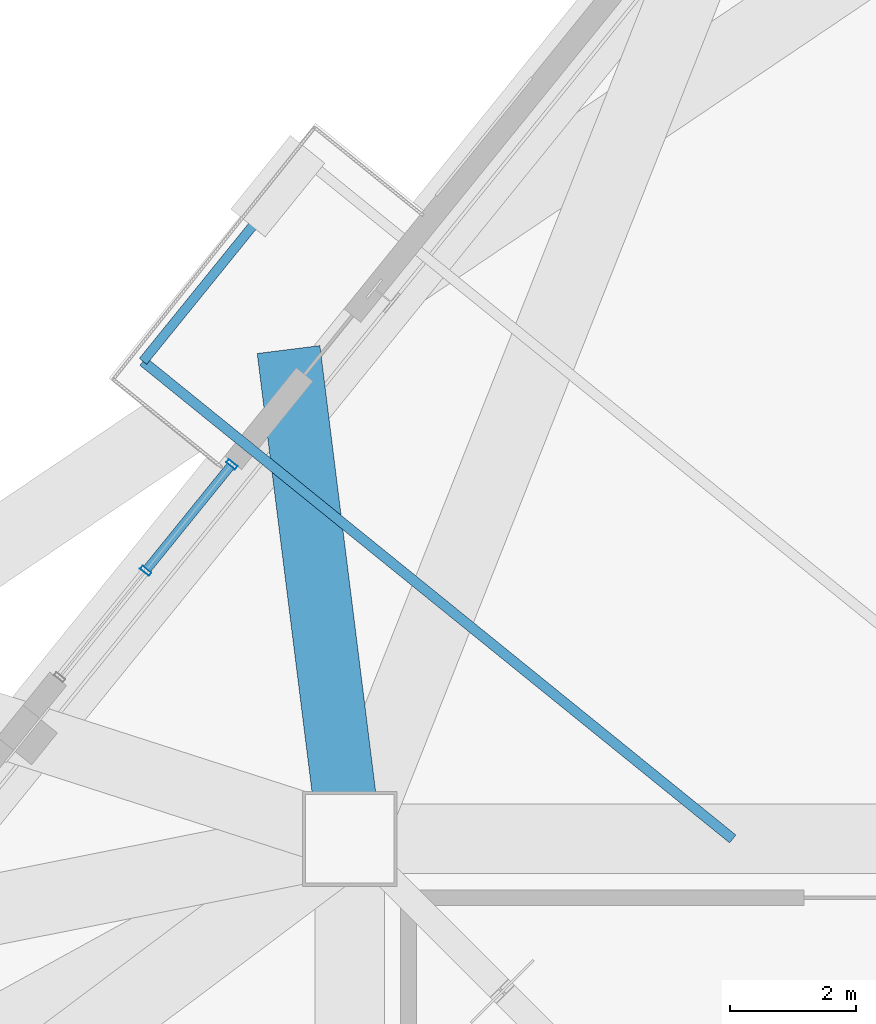
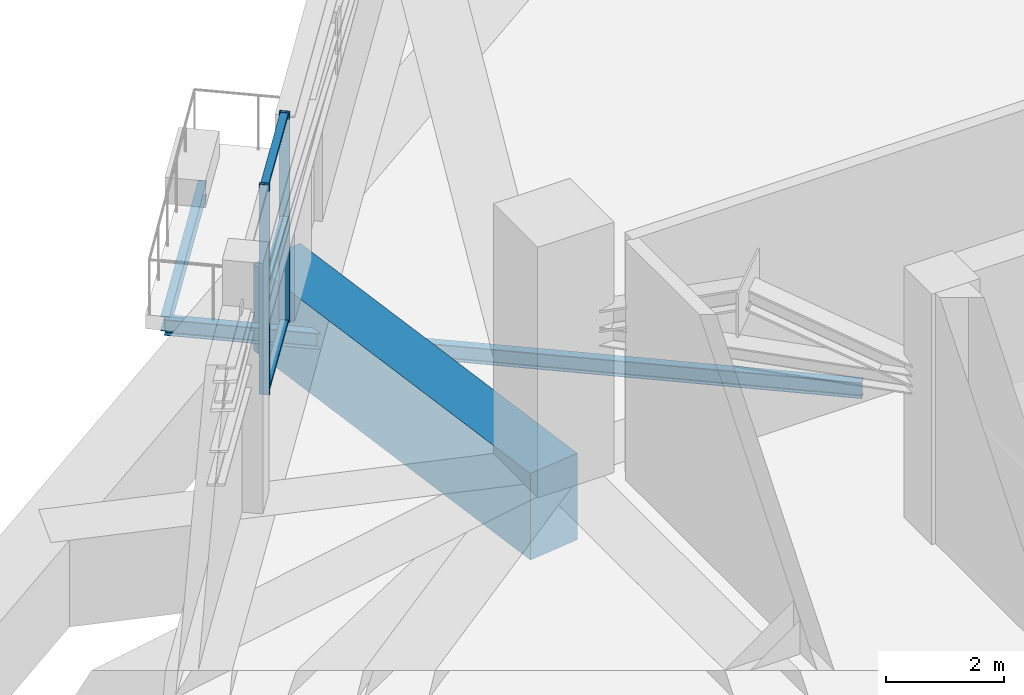
# One storey, part 9 of 22: 5 members, 3 beams, 1 element without a shape of its own.
"""IFC4 building model written with IfcOpenShell, lengths in metres."""

import ifcopenshell
import ifcopenshell.guid

model = None  # the IFC model being written
_history = None  # IfcOwnerHistory: only IFC2X3 demands one
_inside = {}  # id of a spatial element -> (the spatial element, [elements in it])
_under = {}  # id of a project, library or spatial element -> (it, [spatial elements below it])
_declared = {}  # id of a project -> (the project, [libraries it declares])
_typed = {}  # id of a type object -> (the type object, [elements of that type])
_made_of = {}  # id of a material, layer set ... -> (it, [elements and type objects made of it])


def new_model(schema):
    """Start an empty IFC model of exactly this schema.

    Asked for "IFC4X3", IfcOpenShell would pick the latest addendum, in which some entities
    have other attributes; the version numbers below select the first issue.
    IFC2X3 requires an IfcOwnerHistory on every rooted entity: one is made here for all.
    """
    global model, _history
    if schema == "IFC4X3":
        model = ifcopenshell.file(schema_version=(4, 3, 0, 0))
    else:
        model = ifcopenshell.file(schema=schema)
    _inside.clear()
    _under.clear()
    _declared.clear()
    _typed.clear()
    _made_of.clear()
    _history = None
    if model.schema == "IFC2X3":
        org = make("IfcOrganization", Name="unknown")
        user = make(
            "IfcPersonAndOrganization",
            ThePerson=make("IfcPerson", FamilyName="unknown"),
            TheOrganization=org,
        )
        app = make(
            "IfcApplication",
            ApplicationDeveloper=org,
            Version="unknown",
            ApplicationFullName="unknown",
            ApplicationIdentifier="unknown",
        )
        _history = make(
            "IfcOwnerHistory",
            OwningUser=user,
            OwningApplication=app,
            ChangeAction="ADDED",
            CreationDate=0,
        )
    return model


def make(cls, **values):
    """One entity of the class cls with the attributes given. An attribute that is None is left unset."""
    return model.create_entity(
        cls, **{name: value for name, value in values.items() if value is not None}
    )


def rooted(cls, **values):
    """An entity with a GlobalId (a new one), such as an element, a storey or a relation."""
    return make(cls, GlobalId=ifcopenshell.guid.new(), OwnerHistory=_history, **values)


def si_unit(unit_type, name, prefix=None):
    """IfcSIUnit, for example si_unit("LENGTHUNIT", "METRE", prefix="MILLI")."""
    return make("IfcSIUnit", UnitType=unit_type, Prefix=prefix, Name=name)


def assignment(units):
    """IfcUnitAssignment: the units of a project."""
    return None if units is None else make("IfcUnitAssignment", Units=units)


def point(xyz):
    """IfcCartesianPoint."""
    return None if xyz is None else make("IfcCartesianPoint", Coordinates=xyz)


def direction(xyz):
    """IfcDirection."""
    return None if xyz is None else make("IfcDirection", DirectionRatios=xyz)


def frame(location, z_axis=None, x_axis=None):
    """IfcAxis2Placement3D, a coordinate frame: its origin and axes. An axis left out is left unset."""
    return make(
        "IfcAxis2Placement3D",
        Location=point(location),
        Axis=direction(z_axis),
        RefDirection=direction(x_axis),
    )


def frame_2d(location, x_axis=None):
    """IfcAxis2Placement2D, a coordinate frame in the plane: its origin and x axis."""
    return make(
        "IfcAxis2Placement2D", Location=point(location), RefDirection=direction(x_axis)
    )


def origin():
    """The frame at (0, 0, 0) with its axes left unset."""
    return frame((0.0, 0.0, 0.0))


def origin_2d():
    """The frame at (0, 0) in the plane with its x axis left unset."""
    return frame_2d((0.0, 0.0))


def place(relative_to, where):
    """IfcLocalPlacement: puts the frame where relative to a parent placement (None: the world)."""
    return make(
        "IfcLocalPlacement", PlacementRelTo=relative_to, RelativePlacement=where
    )


def context(
    kind, dimensions, precision=None, world=None, true_north=None, identifier=None
):
    """IfcGeometricRepresentationContext, for example the 3D "Model" context."""
    return make(
        "IfcGeometricRepresentationContext",
        ContextIdentifier=identifier,
        ContextType=kind,
        CoordinateSpaceDimension=dimensions,
        Precision=precision,
        WorldCoordinateSystem=world,
        TrueNorth=true_north,
    )


def subcontext(parent, identifier, kind, view, scale=None):
    """IfcGeometricRepresentationSubContext, for example "Body" below "Model"."""
    return make(
        "IfcGeometricRepresentationSubContext",
        ContextIdentifier=identifier,
        ContextType=kind,
        ParentContext=parent,
        TargetScale=scale,
        TargetView=view,
    )


def project(units=None, contexts=None):
    """IfcProject with its units and contexts."""
    return rooted(
        "IfcProject",
        Name="project",
        RepresentationContexts=contexts,
        UnitsInContext=assignment(units),
    )


def spatial(cls, under=None, at=None, **own):
    """A site, building, storey or space (cls), placed at a placement, below another one or the project."""
    s = rooted(cls, ObjectPlacement=at, **own)
    if under is not None:
        _under.setdefault(under.id(), (under, []))[1].append(s)
    return s


def profile(cls, at=None, kind="AREA", **sizes):
    """A parametric profile (cls). Its sizes go by their IFC names, for example OverallWidth=200.0."""
    return make(cls, ProfileType=kind, Position=at, **sizes)


def rectangle(**sizes):
    """IfcRectangleProfileDef."""
    return profile("IfcRectangleProfileDef", **sizes)


def hollow_rectangle(**sizes):
    """IfcRectangleHollowProfileDef."""
    return profile("IfcRectangleHollowProfileDef", **sizes)


def i_section(**sizes):
    """IfcIShapeProfileDef."""
    return profile("IfcIShapeProfileDef", **sizes)


def extrude(swept, where, along, depth):
    """IfcExtrudedAreaSolid: the profile swept, set in the frame where, extruded along a direction by depth."""
    return make(
        "IfcExtrudedAreaSolid",
        SweptArea=swept,
        Position=where,
        ExtrudedDirection=direction(along),
        Depth=depth,
    )


def shape(context_of_items, identifier, shape_type, items):
    """IfcShapeRepresentation: the items that make up one representation, for example the "Body"."""
    return make(
        "IfcShapeRepresentation",
        ContextOfItems=context_of_items,
        RepresentationIdentifier=identifier,
        RepresentationType=shape_type,
        Items=items,
    )


def source(mapping_origin, context_of_items, identifier, shape_type, items):
    """IfcRepresentationMap: a shape defined once, which mapped items show again and again."""
    return make(
        "IfcRepresentationMap",
        MappingOrigin=mapping_origin,
        MappedRepresentation=shape(context_of_items, identifier, shape_type, items),
    )


def transform(
    local_origin,
    x_axis=None,
    y_axis=None,
    z_axis=None,
    scale=None,
    scale2=None,
    scale3=None,
    uniform=True,
):
    """IfcCartesianTransformationOperator3D, or its non-uniform kind. x_axis, y_axis, z_axis: its Axis1, 2, 3."""
    if uniform:
        return make(
            "IfcCartesianTransformationOperator3D",
            Axis1=direction(x_axis),
            Axis2=direction(y_axis),
            LocalOrigin=point(local_origin),
            Scale=scale,
            Axis3=direction(z_axis),
        )
    return make(
        "IfcCartesianTransformationOperator3DnonUniform",
        Axis1=direction(x_axis),
        Axis2=direction(y_axis),
        LocalOrigin=point(local_origin),
        Scale=scale,
        Axis3=direction(z_axis),
        Scale2=scale2,
        Scale3=scale3,
    )


def mapped(mapping_source, mapping_target):
    """IfcMappedItem: shows the shape of a source again, moved by a transform."""
    return make(
        "IfcMappedItem", MappingSource=mapping_source, MappingTarget=mapping_target
    )


def material(Name=None, Category=None):
    """IfcMaterial."""
    return make("IfcMaterial", Name=Name, Category=Category)


def layer(
    of_material, thickness, ventilated=None, Name=None, Category=None, Priority=None
):
    """IfcMaterialLayer: one layer of a wall or slab, of a material (None: an air gap)."""
    return make(
        "IfcMaterialLayer",
        Material=of_material,
        LayerThickness=thickness,
        IsVentilated=ventilated,
        Name=Name,
        Category=Category,
        Priority=Priority,
    )


def layer_set(layers, Name=None):
    """IfcMaterialLayerSet."""
    return make("IfcMaterialLayerSet", MaterialLayers=layers, LayerSetName=Name)


def material_profile(
    of_material, cross_section, Name=None, Category=None, Priority=None
):
    """IfcMaterialProfile: a cross section and its material."""
    return make(
        "IfcMaterialProfile",
        Name=Name,
        Material=of_material,
        Profile=cross_section,
        Priority=Priority,
        Category=Category,
    )


def profile_set(profiles, Name=None, composite=None):
    """IfcMaterialProfileSet."""
    return make(
        "IfcMaterialProfileSet",
        Name=Name,
        MaterialProfiles=profiles,
        CompositeProfile=composite,
    )


def made_of(thing, what):
    """Note that an element or type object is made of a material, layer set ...; save() writes the relation."""
    if what is not None:
        _made_of.setdefault(what.id(), (what, []))[1].append(thing)
    return thing


def type_object(cls, material=None, **own):
    """A type object (cls), such as IfcWallType, which elements share."""
    return made_of(rooted(cls, **own), material)


def element(
    cls,
    number,
    at=None,
    inside=None,
    cuts=None,
    type_object=None,
    material=None,
    context=None,
    identifier="Body",
    shape_type=None,
    held_by="IfcProductDefinitionShape",
    body=None,
    shapes=None,
    **own,
):
    """One element of the class cls, such as IfcWall. Its Tag is "e" and its number.

    at: its placement. inside: the storey or other place that contains it. cuts: it is an
    opening in that element (IfcRelVoidsElement). A single representation is given by context,
    identifier, shape_type and body (its items); several are given by shapes. held_by: the class
    of the entity that holds the representations. save() writes the other relations.
    """
    e = rooted(cls, Tag="e%d" % number, ObjectPlacement=at, **own)
    if body is not None:
        shapes = [shape(context, identifier, shape_type, body)]
    if shapes is not None:
        e.Representation = make(held_by, Representations=shapes)
    if inside is not None:
        _inside.setdefault(inside.id(), (inside, []))[1].append(e)
    if cuts is not None:
        rooted(
            "IfcRelVoidsElement", RelatingBuildingElement=cuts, RelatedOpeningElement=e
        )
    if type_object is not None:
        _typed.setdefault(type_object.id(), (type_object, []))[1].append(e)
    return made_of(e, material)


def aggregate(whole, parts):
    """IfcRelAggregates: a whole, such as a stair, and the parts it consists of."""
    return rooted("IfcRelAggregates", RelatingObject=whole, RelatedObjects=parts)


def save(model, path):
    """Write the relations noted so far, then the file.

    IfcRelAggregates (storeys below a building ...), IfcRelContainedInSpatialStructure (elements
    in a storey), IfcRelDefinesByType, IfcRelAssociatesMaterial and IfcRelDeclares: one each for
    every whole, place, type object, material and project.
    """
    for whole, parts in _under.values():
        aggregate(whole, parts)
    for where, things in _inside.values():
        rooted(
            "IfcRelContainedInSpatialStructure",
            RelatedElements=things,
            RelatingStructure=where,
        )
    for kind, things in _typed.values():
        rooted("IfcRelDefinesByType", RelatedObjects=things, RelatingType=kind)
    for what, things in _made_of.values():
        rooted("IfcRelAssociatesMaterial", RelatedObjects=things, RelatingMaterial=what)
    for by, libraries in _declared.values():
        rooted("IfcRelDeclares", RelatingContext=by, RelatedDefinitions=libraries)
    model.write(path)


model = new_model("IFC4")

# Units and contexts
model_context = context("Model", 3, precision=1e-05, world=origin(), true_north=direction((0.0, 1.0)))
body_context = subcontext(model_context, "Body", "Model", "MODEL_VIEW")
ifc_project = project(units=[si_unit("LENGTHUNIT", "METRE"), si_unit("AREAUNIT", "SQUARE_METRE"), si_unit("VOLUMEUNIT", "CUBIC_METRE"), si_unit("PLANEANGLEUNIT", "RADIAN"), si_unit("MASSUNIT", "GRAM", prefix="KILO"), si_unit("THERMODYNAMICTEMPERATUREUNIT", "KELVIN")], contexts=[model_context])

# Site, building, storey
site_placement = place(None, origin())
site = spatial("IfcSite", under=ifc_project, at=site_placement, CompositionType="ELEMENT")
building_placement = place(site_placement, origin())
building = spatial("IfcBuilding", under=site, at=building_placement, Name="Kosmvard Interchange Tower", CompositionType="ELEMENT")
storey_placement = place(building_placement, frame((0.0, 0.0, 200.39990234375)))
storey = spatial("IfcBuildingStorey", under=building, at=storey_placement, Name="L48", CompositionType="ELEMENT", Elevation=200.39990234375)

# Beams
ifc_material_1 = material(Name="Steel S355", Category="steel")
ifc_material_profile_1 = material_profile(ifc_material_1, i_section(OverallWidth=0.14990234375, OverallDepth=0.300048828125, WebThickness=0.007080078125, FlangeThickness=0.0107421875, FilletRadius=0.014892578125, at=origin_2d()), Name="IPE 300")
ifc_profile_set_1 = profile_set([ifc_material_profile_1], Name="Steel S355")
beam_type_1 = type_object("IfcBeamType", Name="Balcony Edge Header Joist IPE 300 S355", PredefinedType="JOIST", material=ifc_profile_set_1)
shared_shape_1 = source(origin(), body_context, "Body", "SweptSolid", [
    extrude(i_section(OverallWidth=0.14990234375, OverallDepth=0.300048828125, WebThickness=0.007080078125, FlangeThickness=0.0107421875, FilletRadius=0.014892578125, at=origin_2d()), origin(), (0.0, 0.0, 1.0), 4.099853515625),
])
beam_1_placement = place(storey_placement, frame((-13.77392578125, 23.828369140625, -0.5498046875), z_axis=(-0.629302717395, -0.777160272968, 0.0), x_axis=(0.777160272968, -0.629302717395, 0.0)))
element("IfcBeam", 1, at=beam_1_placement, inside=storey, type_object=beam_type_1, Name="BM-L48-BJH1", PredefinedType="JOIST", context=body_context, shape_type="MappedRepresentation", body=[
    mapped(shared_shape_1, transform((0.0, 0.0, 0.0), scale=1.0)),
])
ifc_material_2 = material(Name="Concrete C60/75", Category="concrete")
ifc_material_profile_2 = material_profile(ifc_material_2, rectangle(XDim=1.0, YDim=1.800048828125, at=origin_2d()), Name="TG 1000x1800")
ifc_profile_set_2 = profile_set([ifc_material_profile_2], Name="Concrete C60/75")
beam_type_2 = type_object("IfcBeamType", Name="Zone Transfer Ring Girder 1000x1800 C60/75", PredefinedType="USERDEFINED", material=ifc_profile_set_2)
shared_shape_2 = source(origin(), body_context, "Body", "SweptSolid", [
    extrude(rectangle(XDim=1.0, YDim=1.800048828125, at=origin_2d()), origin(), (0.0, 0.0, 1.0), 7.808837890625),
])
beam_2_placement = place(storey_placement, frame((-13.0810546875, 13.0810546875, -0.89990234375), z_axis=(-0.12405782224, 0.992274990485, 0.0), x_axis=(-0.992274990485, -0.12405782224, 0.0)))
element("IfcBeam", 2, at=beam_2_placement, inside=storey, type_object=beam_type_2, Name="BM-L48-LD08", ObjectType="TRANSFER_GIRDER", PredefinedType="USERDEFINED", context=body_context, shape_type="MappedRepresentation", body=[
    mapped(shared_shape_2, transform((0.0, 0.0, 0.0), scale=1.0)),
])
ifc_material_profile_3 = material_profile(ifc_material_1, i_section(OverallWidth=0.159912109375, OverallDepth=0.330078125, WebThickness=0.007568359375, FlangeThickness=0.011474609375, FilletRadius=0.01806640625, at=origin_2d()), Name="IPE 330")
ifc_profile_set_3 = profile_set([ifc_material_profile_3], Name="Steel S355")
beam_type_3 = type_object("IfcBeamType", Name="Balcony Cantilever Joist IPE 330 S355", PredefinedType="JOIST", material=ifc_profile_set_3)
shared_shape_3 = source(origin(), body_context, "Body", "SweptSolid", [
    extrude(i_section(OverallWidth=0.159912109375, OverallDepth=0.330078125, WebThickness=0.007568359375, FlangeThickness=0.011474609375, FilletRadius=0.01806640625, at=origin_2d()), origin(), (0.0, 0.0, 1.0), 12.0146484375),
])
beam_3_placement = place(storey_placement, frame((-7.016845703125, 13.0810546875, -0.56494140625), z_axis=(-0.777147853166, 0.629318054976, 0.0), x_axis=(-0.629318054976, -0.777147853166, 0.0)))
element("IfcBeam", 3, at=beam_3_placement, inside=storey, type_object=beam_type_3, Name="BM-L48-BJB1", PredefinedType="JOIST", context=body_context, shape_type="MappedRepresentation", body=[
    mapped(shared_shape_3, transform((0.0, 0.0, 0.0), scale=1.0)),
])

# Curtain wall, members
ifc_material_3 = material(Name="Architectural anodised aluminium", Category="aluminium")
ifc_layer = layer(ifc_material_3, 0.179931640625, Name="Architectural anodised aluminium")
ifc_layer_set = layer_set([ifc_layer], Name="Architectural anodised aluminium")
curtain_wall_type = type_object("IfcCurtainWallType", Name="CW-3 Sky-Garden Vestibule Curtain Wall", PredefinedType="NOTDEFINED", material=ifc_layer_set)
curtain_wall_placement = place(storey_placement, origin())
curtain_wall = element("IfcCurtainWall", 4, at=curtain_wall_placement, inside=storey, type_object=curtain_wall_type, Name="L48 Sky-Garden Curtain Wall N", PredefinedType="NOTDEFINED")
ifc_material_profile_4 = material_profile(ifc_material_3, hollow_rectangle(XDim=0.139892578125, YDim=0.06005859375, WallThickness=0.00390625, at=origin_2d()), Name="CWT 140x60x4")
ifc_profile_set_4 = profile_set([ifc_material_profile_4], Name="Architectural anodised aluminium")
member_type_1 = type_object("IfcMemberType", Name="Sky-Garden CW Transom 140x60 Aluminium", PredefinedType="USERDEFINED", material=ifc_profile_set_4)
shared_shape_4 = source(origin(), body_context, "Body", "SweptSolid", [
    extrude(hollow_rectangle(XDim=0.139892578125, YDim=0.06005859375, WallThickness=0.00390625, at=origin_2d()), origin(), (0.0, 0.0, 1.0), 2.102294921875),
])
member_1_placement = place(storey_placement, frame((-14.9677734375, 18.9853515625, 0.030029296875), z_axis=(-0.6293151482, -0.777150207004, 0.0), x_axis=(0.777150207004, -0.6293151482, 0.0)))
member_1 = element("IfcMember", 5, at=member_1_placement, type_object=member_type_1, Name="CW-3 transom 1.1", ObjectType="TRANSOM", PredefinedType="USERDEFINED", context=body_context, shape_type="MappedRepresentation", body=[
    mapped(shared_shape_4, transform((0.0, 0.0, 0.0), scale=1.0)),
])
member_2_placement = place(storey_placement, frame((-14.9677734375, 18.9853515625, 2.18017578125), z_axis=(-0.6293151482, -0.777150207004, 0.0), x_axis=(0.777150207004, -0.6293151482, 0.0)))
member_2 = element("IfcMember", 6, at=member_2_placement, type_object=member_type_1, Name="CW-3 transom 1.2", ObjectType="TRANSOM", PredefinedType="USERDEFINED", context=body_context, shape_type="MappedRepresentation", body=[
    mapped(shared_shape_4, transform((0.0, 0.0, 0.0), scale=1.0)),
])
member_3_placement = place(storey_placement, frame((-14.9677734375, 18.9853515625, 4.330078125), z_axis=(-0.6293151482, -0.777150207004, 0.0), x_axis=(0.777150207004, -0.6293151482, 0.0)))
member_3 = element("IfcMember", 7, at=member_3_placement, type_object=member_type_1, Name="CW-3 transom 1.3", ObjectType="TRANSOM", PredefinedType="USERDEFINED", context=body_context, shape_type="MappedRepresentation", body=[
    mapped(shared_shape_4, transform((0.0, 0.0, 0.0), scale=1.0)),
])
ifc_material_profile_5 = material_profile(ifc_material_3, hollow_rectangle(XDim=0.179931640625, YDim=0.06494140625, WallThickness=0.00390625, at=origin_2d()), Name="CWM 180x65x4")
ifc_profile_set_5 = profile_set([ifc_material_profile_5], Name="Architectural anodised aluminium")
member_type_2 = type_object("IfcMemberType", Name="Sky-Garden CW Mullion 180x65 Aluminium", PredefinedType="MULLION", material=ifc_profile_set_5)
shared_shape_5 = source(origin(), body_context, "Body", "SweptSolid", [
    extrude(hollow_rectangle(XDim=0.179931640625, YDim=0.06494140625, WallThickness=0.00390625, at=origin_2d()), origin(), (0.0, 0.0, 1.0), 4.360107421875),
])
member_4_placement = place(storey_placement, frame((-14.947265625, 19.0107421875, 0.0), z_axis=(0.0, 0.0, 1.0), x_axis=(0.777146020813, -0.629320317751, 0.0)))
member_4 = element("IfcMember", 8, at=member_4_placement, type_object=member_type_2, Name="CW-3 mullion 1", PredefinedType="MULLION", context=body_context, shape_type="MappedRepresentation", body=[
    mapped(shared_shape_5, transform((0.0, 0.0, 0.0), scale=1.0)),
])
member_5_placement = place(storey_placement, frame((-16.311279296875, 17.326171875, 0.0), z_axis=(0.0, 0.0, 1.0), x_axis=(0.777146020813, -0.629320317751, 0.0)))
member_5 = element("IfcMember", 9, at=member_5_placement, type_object=member_type_2, Name="CW-3 mullion 2", PredefinedType="MULLION", context=body_context, shape_type="MappedRepresentation", body=[
    mapped(shared_shape_5, transform((0.0, 0.0, 0.0), scale=1.0)),
])
aggregate(curtain_wall, [member_4, member_5, member_1, member_2, member_3])

save(model, "model.ifc")
